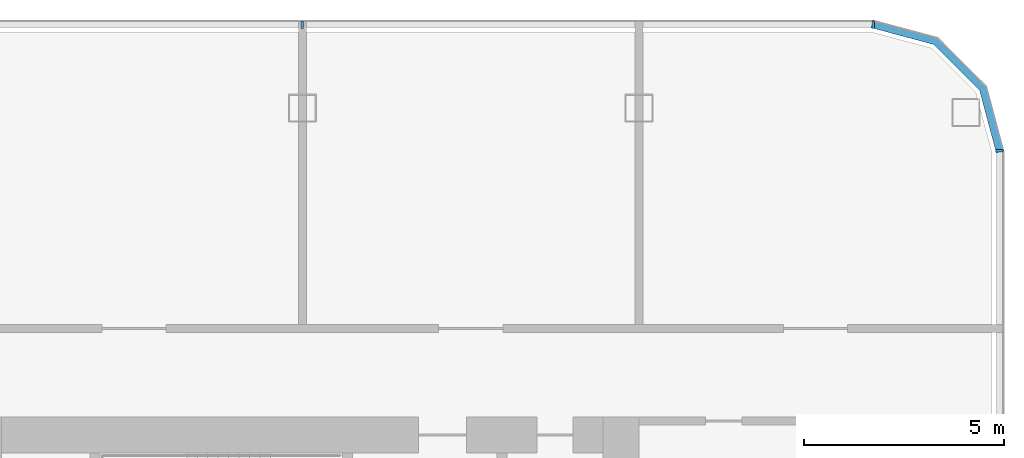
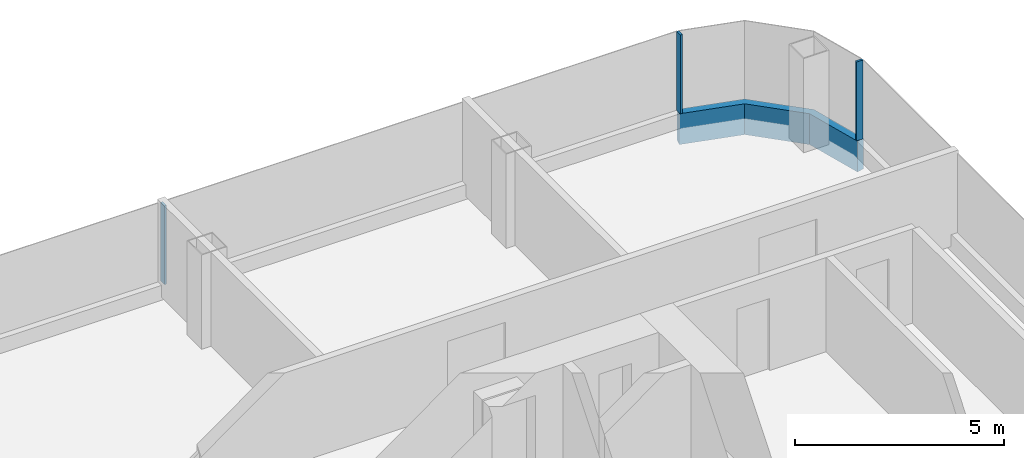
# One storey, part 10 of 27: 4 members, 3 elements without a shape of their own.
"""IFC4 building model written with IfcOpenShell, lengths in metres."""

from ifc_helpers import new_model, si_unit, direction, frame, origin, origin_2d, place, context, subcontext, project, spatial, polyline, rectangle, outline, extrude, material, layer, layer_set, material_profile, profile_set, type_object, element, aggregate, save


model = new_model("IFC4")

# Units and contexts
model_context = context("Model", 3, precision=1e-05, world=origin(), true_north=direction((0.0, 1.0)))
body_context = subcontext(model_context, "Body", "Model", "MODEL_VIEW")
ifc_project = project(units=[si_unit("LENGTHUNIT", "METRE"), si_unit("AREAUNIT", "SQUARE_METRE"), si_unit("VOLUMEUNIT", "CUBIC_METRE"), si_unit("PLANEANGLEUNIT", "RADIAN"), si_unit("MASSUNIT", "GRAM", prefix="KILO")], contexts=[model_context])

# Site, building, storey
site_placement = place(None, origin())
site = spatial("IfcSite", under=ifc_project, at=site_placement, CompositionType="ELEMENT")
building_placement = place(site_placement, origin())
building = spatial("IfcBuilding", under=site, at=building_placement, Name="Hakoniwa Tower and Hamabe Station Hall", CompositionType="ELEMENT")
storey_placement = place(building_placement, frame((0.0, 0.0, 166.199951171875)))
storey = spatial("IfcBuildingStorey", under=building, at=storey_placement, Name="L47", CompositionType="ELEMENT", Elevation=166.199951171875)

# Curtain wall, member
ifc_material_1 = material(Name="Dark low-e laminated glass", Category="glass")
ifc_layer = layer(ifc_material_1, 0.199951171875)
ifc_layer_set = layer_set([ifc_layer], Name="CW-1 UNITISED GUEST")
curtain_wall_type = type_object("IfcCurtainWallType", Name="CW-1 UNITISED GUEST", PredefinedType="NOTDEFINED", material=ifc_layer_set)
curtain_wall_1_placement = place(storey_placement, origin())
curtain_wall_1 = element("IfcCurtainWall", 1, at=curtain_wall_1_placement, inside=storey, type_object=curtain_wall_type, Name="CW-1 curtain wall", PredefinedType="NOTDEFINED")
ifc_material_2 = material(Name="Aluminium 6063-T5 black anodised", Category="aluminium")
ifc_material_profile_1 = material_profile(ifc_material_2, rectangle(XDim=0.199951171875, YDim=0.89990234375, at=origin_2d()), Name="CW SLAB-EDGE BAND 900X200")
ifc_profile_set_1 = profile_set([ifc_material_profile_1], Name="Aluminium 6063-T5 black anodised")
member_type_1 = type_object("IfcMemberType", Name="CW SLAB-EDGE BAND 900X200", PredefinedType="USERDEFINED", material=ifc_profile_set_1)
member_1_placement = place(storey_placement, frame((0.0, 0.0, -0.550048828125)))
member_1 = element("IfcMember", 2, at=member_1_placement, type_object=member_type_1, Name="CW-1 transom", ObjectType="TRANSOM", PredefinedType="USERDEFINED", context=body_context, shape_type="SweptSolid", body=[
    extrude(outline(polyline([(42.699951171875, 15.03955078125), (42.26708984375, 16.6552734375), (41.05517578125, 17.866943359375), (39.439453125, 18.300048828125), (39.3876953125, 18.10693359375), (40.95166015625, 17.687744140625), (42.087646484375, 16.5517578125), (42.5068359375, 14.98779296875), (42.699951171875, 15.03955078125)])), origin(), (0.0, 0.0, 1.0), 0.900146484375),
])
aggregate(curtain_wall_1, [member_1])

curtain_wall_2_placement = place(storey_placement, origin())
curtain_wall_2 = element("IfcCurtainWall", 3, at=curtain_wall_2_placement, inside=storey, type_object=curtain_wall_type, Name="CW-1 curtain wall", PredefinedType="NOTDEFINED")
ifc_material_3 = material(Name="Aluminium 6063-T5 black anodised", Category="aluminium")
ifc_material_profile_2 = material_profile(ifc_material_3, rectangle(XDim=0.06005859375, YDim=0.179931640625, at=origin_2d()), Name="CW-1 MULLION 60X180")
ifc_profile_set_2 = profile_set([ifc_material_profile_2], Name="Aluminium 6063-T5 black anodised")
member_type_2 = type_object("IfcMemberType", Name="CW-1 MULLION 60X180", PredefinedType="MULLION", material=ifc_profile_set_2)
member_2_placement = place(storey_placement, frame((42.58203125, 15.03955078125, 0.35009765625), z_axis=(0.0, 0.0, 1.0), x_axis=(0.0, 1.0, 0.0)))
member_2 = element("IfcMember", 4, at=member_2_placement, type_object=member_type_2, Name="CW-1 mullion", PredefinedType="MULLION", context=body_context, shape_type="SweptSolid", body=[
    extrude(rectangle(XDim=0.06005859375, YDim=0.179931640625, at=origin_2d()), origin(), (0.0, 0.0, 1.0), 2.300048828125),
])
aggregate(curtain_wall_2, [member_2])

# Curtain wall, members
curtain_wall_3_placement = place(storey_placement, origin())
curtain_wall_3 = element("IfcCurtainWall", 5, at=curtain_wall_3_placement, inside=storey, type_object=curtain_wall_type, Name="CW-1 curtain wall", PredefinedType="NOTDEFINED")
member_3_placement = place(storey_placement, frame((39.439453125, 18.181884765625, 0.35009765625), z_axis=(0.0, 0.0, 1.0), x_axis=(-1.0, 0.0, 0.0)))
member_3 = element("IfcMember", 6, at=member_3_placement, type_object=member_type_2, Name="CW-1 mullion", PredefinedType="MULLION", context=body_context, shape_type="SweptSolid", body=[
    extrude(rectangle(XDim=0.06005859375, YDim=0.179931640625, at=origin_2d()), origin(), (0.0, 0.0, 1.0), 2.300048828125),
])
member_4_placement = place(storey_placement, frame((25.199951171875, 18.181884765625, 0.35009765625), z_axis=(0.0, 0.0, 1.0), x_axis=(-1.0, 0.0, 0.0)))
member_4 = element("IfcMember", 7, at=member_4_placement, type_object=member_type_2, Name="CW-1 mullion", PredefinedType="MULLION", context=body_context, shape_type="SweptSolid", body=[
    extrude(rectangle(XDim=0.06005859375, YDim=0.179931640625, at=origin_2d()), origin(), (0.0, 0.0, 1.0), 2.300048828125),
])
aggregate(curtain_wall_3, [member_3, member_4])

save(model, "model.ifc")
